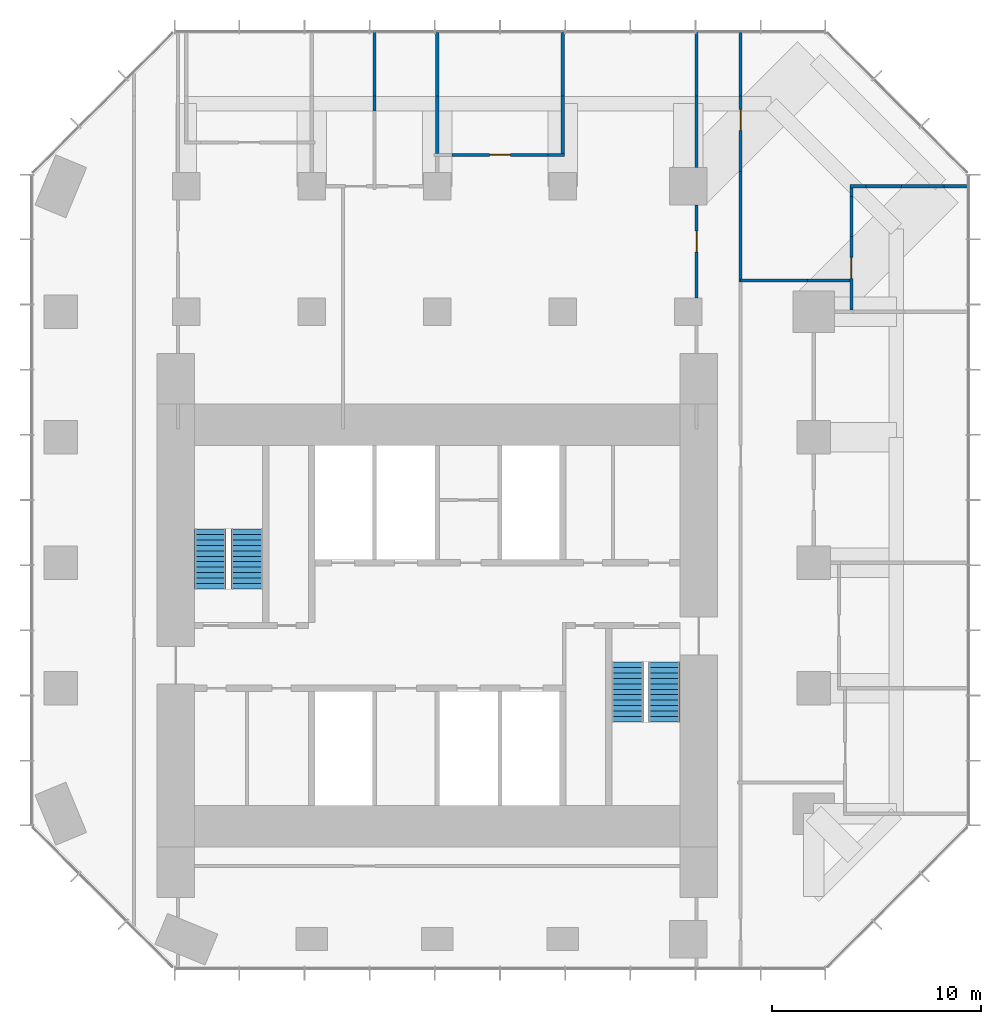
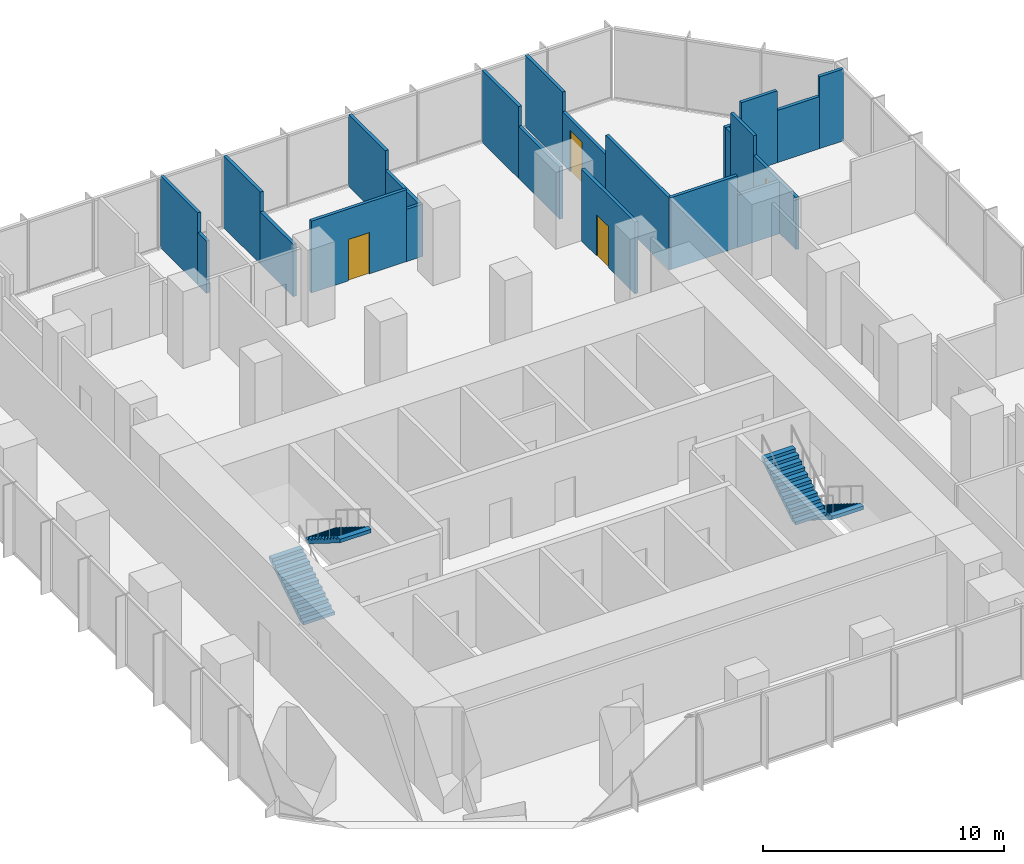
# One storey, part 10 of 11: 23 walls, 4 doors, 4 stair flights, 4 openings, 2 elements without a shape of their own.
"""IFC4 building model written with IfcOpenShell, lengths in metres."""

from ifc_helpers import new_model, si_unit, direction, frame, frame_2d, origin, place, context, subcontext, project, spatial, polyline, rectangle, outline, extrude, material, layer, layer_set, type_object, element, fill, aggregate, save


model = new_model("IFC4")

# Units and contexts
model_context = context("Model", 3, precision=1e-05, world=origin(), true_north=direction((0.0, 1.0)))
body_context = subcontext(model_context, "Body", "Model", "MODEL_VIEW")
ifc_project = project(units=[si_unit("LENGTHUNIT", "METRE"), si_unit("AREAUNIT", "SQUARE_METRE"), si_unit("VOLUMEUNIT", "CUBIC_METRE"), si_unit("PLANEANGLEUNIT", "RADIAN"), si_unit("MASSUNIT", "GRAM", prefix="KILO")], contexts=[model_context])

# Site, building, storey
site_placement = place(None, origin())
site = spatial("IfcSite", under=ifc_project, at=site_placement, CompositionType="ELEMENT")
building_placement = place(site_placement, origin())
building = spatial("IfcBuilding", under=site, at=building_placement, Name="Highveld Stack Headquarters", CompositionType="ELEMENT")
storey_placement = place(building_placement, frame((0.0, 0.0, 185.0)))
storey = spatial("IfcBuildingStorey", under=building, at=storey_placement, Name="L45", CompositionType="ELEMENT", Elevation=185.0)

# Walls
ifc_material_1 = material(Name="Gypsum plasterboard on steel studs", Category="steel")
ifc_layer = layer(ifc_material_1, 0.14990234375)
ifc_layer_set = layer_set([ifc_layer], Name="Gypsum plasterboard on steel studs")
wall_type = type_object("IfcWallType", Name="PARTITION 150 PLASTERBOARD", PredefinedType="PARTITIONING", material=ifc_layer_set)
wall_1_placement = place(storey_placement, frame((25.72509765625, 24.0, 0.0), z_axis=(0.0, 0.0, 1.0), x_axis=(1.0, 0.0, 0.0)))
element("IfcWall", 1, at=wall_1_placement, inside=storey, type_object=wall_type, Name="Partition Print room L45", PredefinedType="PARTITIONING", context=body_context, shape_type="SweptSolid", body=[
    extrude(rectangle(XDim=0.764892578125, YDim=0.14990234375, at=frame_2d((0.38232421875, 0.0))), origin(), (0.0, 0.0, 1.0), 2.64990234375),
])
wall_2_placement = place(storey_placement, frame((26.489990234375, 24.0, 0.0), z_axis=(0.0, 0.0, 1.0), x_axis=(1.0, 0.0, 0.0)))
element("IfcWall", 2, at=wall_2_placement, inside=storey, type_object=wall_type, Name="Partition Print room L45", PredefinedType="PARTITIONING", context=body_context, shape_type="SweptSolid", body=[
    extrude(rectangle(XDim=1.718017578125, YDim=0.14990234375, at=frame_2d((0.85888671875, 0.0))), origin(), (0.0, 0.0, 1.0), 3.64990234375),
])
wall_3_placement = place(storey_placement, frame((28.2080078125, 24.0, 0.0), z_axis=(0.0, 0.0, 1.0), x_axis=(1.0, 0.0, 0.0)))
element("IfcWall", 3, at=wall_3_placement, inside=storey, type_object=wall_type, Name="Partition Print room L45", PredefinedType="PARTITIONING", context=body_context, shape_type="SweptSolid", body=[
    extrude(rectangle(XDim=2.029052734375, YDim=0.14990234375, at=frame_2d((1.0146484375, 0.0))), origin(), (0.0, 0.0, 1.0), 2.64990234375),
])
wall_4_placement = place(storey_placement, frame((30.237060546875, 24.0, 0.0), z_axis=(0.0, 0.0, 1.0), x_axis=(1.0, 0.0, 0.0)))
element("IfcWall", 4, at=wall_4_placement, inside=storey, type_object=wall_type, Name="Partition Print room L45", PredefinedType="PARTITIONING", context=body_context, shape_type="SweptSolid", body=[
    extrude(rectangle(XDim=1.162841796875, YDim=0.14990234375, at=frame_2d((0.58154296875, 0.0))), origin(), (0.0, 0.0, 1.0), 3.64990234375),
])

# Wall, opening, door
wall_5_placement = place(storey_placement, frame((6.7099609375, 25.5, 0.0), z_axis=(0.0, 0.0, 1.0), x_axis=(1.0, 0.0, 0.0)))
wall_5 = element("IfcWall", 5, at=wall_5_placement, inside=storey, type_object=wall_type, Name="Partition Quiet room L45", PredefinedType="PARTITIONING", context=body_context, shape_type="SweptSolid", body=[
    extrude(rectangle(XDim=4.580078125, YDim=0.14990234375, at=frame_2d((2.2900390625, 0.0))), origin(), (0.0, 0.0, 1.0), 3.64990234375),
])
opening_1_placement = place(wall_5_placement, frame((1.7900390625, 0.0, 0.0)))
opening_1 = element("IfcOpeningElement", 6, at=opening_1_placement, cuts=wall_5, Name="Opening L45-21", PredefinedType="OPENING", context=body_context, shape_type="SweptSolid", body=[
    extrude(rectangle(XDim=1.0, YDim=2.10009765625, at=frame_2d((0.5, 1.050048828125))), frame((0.0, 0.0849609375, 0.0), z_axis=(0.0, -1.0, 0.0), x_axis=(1.0, 0.0, 0.0)), (0.0, 0.0, 1.0), 0.169921875),
])
ifc_material_2 = material(Name="Timber door, oiled ash", Category="wood")
door_type = type_object("IfcDoorType", Name="ROOM DOOR D6 1000x2100", OperationType="SINGLE_SWING_LEFT", PredefinedType="DOOR", material=ifc_material_2)
door_1_placement = place(opening_1_placement, origin())
door_1 = element("IfcDoor", 7, at=door_1_placement, inside=storey, type_object=door_type, Name="Quiet room door 1 L45", OperationType="SINGLE_SWING_LEFT", OverallHeight=2.10009765625, OverallWidth=1.0, PredefinedType="DOOR", context=body_context, shape_type="SweptSolid", body=[
    extrude(rectangle(XDim=1.0, YDim=2.10009765625, at=frame_2d((0.5, 1.050048828125))), frame((0.0, 0.02490234375, 0.0), z_axis=(0.0, -1.0, 0.0), x_axis=(1.0, 0.0, 0.0)), (0.0, 0.0, 1.0), 0.050048828125),
])
fill(opening_1, door_1)

# Walls
wall_6_placement = place(storey_placement, frame((11.2900390625, 25.5, 0.0), z_axis=(0.0, 0.0, 1.0), x_axis=(1.0, 0.0, 0.0)))
element("IfcWall", 8, at=wall_6_placement, inside=storey, type_object=wall_type, Name="Partition Quiet room L45", PredefinedType="PARTITIONING", context=body_context, shape_type="SweptSolid", body=[
    extrude(rectangle(XDim=0.784912109375, YDim=0.14990234375, at=frame_2d((0.392578125, 0.0))), origin(), (0.0, 0.0, 1.0), 2.64990234375),
])
wall_7_placement = place(storey_placement, frame((3.0, 27.590087890625, 0.0), z_axis=(0.0, 0.0, 1.0), x_axis=(0.0, 1.0, 0.0)))
element("IfcWall", 9, at=wall_7_placement, inside=storey, type_object=wall_type, Name="Partition Office L45", PredefinedType="PARTITIONING", context=body_context, shape_type="SweptSolid", body=[
    extrude(rectangle(XDim=0.719970703125, YDim=0.14990234375, at=frame_2d((0.35986328125, 0.0))), origin(), (0.0, 0.0, 1.0), 2.64990234375),
])
wall_8_placement = place(storey_placement, frame((3.0, 28.31005859375, 0.0), z_axis=(0.0, 0.0, 1.0), x_axis=(0.0, 1.0, 0.0)))
element("IfcWall", 10, at=wall_8_placement, inside=storey, type_object=wall_type, Name="Partition Office L45", PredefinedType="PARTITIONING", context=body_context, shape_type="SweptSolid", body=[
    extrude(rectangle(XDim=3.08984375, YDim=0.14990234375, at=frame_2d((1.544921875, 0.0))), origin(), (0.0, 0.0, 1.0), 3.64990234375),
])
wall_9_placement = place(storey_placement, frame((6.0, 25.574951171875, 0.0), z_axis=(0.0, 0.0, 1.0), x_axis=(0.0, 1.0, 0.0)))
element("IfcWall", 11, at=wall_9_placement, inside=storey, type_object=wall_type, Name="Partition Office / Quiet room L45", PredefinedType="PARTITIONING", context=body_context, shape_type="SweptSolid", body=[
    extrude(rectangle(XDim=2.735107421875, YDim=0.14990234375, at=frame_2d((1.36767578125, 0.0))), origin(), (0.0, 0.0, 1.0), 2.64990234375),
])
wall_10_placement = place(storey_placement, frame((6.0, 28.31005859375, 0.0), z_axis=(0.0, 0.0, 1.0), x_axis=(0.0, 1.0, 0.0)))
element("IfcWall", 12, at=wall_10_placement, inside=storey, type_object=wall_type, Name="Partition Office / Quiet room L45", PredefinedType="PARTITIONING", context=body_context, shape_type="SweptSolid", body=[
    extrude(rectangle(XDim=3.0400390625, YDim=0.14990234375, at=frame_2d((1.52001953125, 0.0))), origin(), (0.0, 0.0, 1.0), 3.64990234375),
])
wall_11_placement = place(storey_placement, frame((12.0, 25.574951171875, 0.0), z_axis=(0.0, 0.0, 1.0), x_axis=(0.0, 1.0, 0.0)))
element("IfcWall", 13, at=wall_11_placement, inside=storey, type_object=wall_type, Name="Partition Quiet room L45", PredefinedType="PARTITIONING", context=body_context, shape_type="SweptSolid", body=[
    extrude(rectangle(XDim=2.735107421875, YDim=0.14990234375, at=frame_2d((1.36767578125, 0.0))), origin(), (0.0, 0.0, 1.0), 2.64990234375),
])
wall_12_placement = place(storey_placement, frame((12.0, 28.31005859375, 0.0), z_axis=(0.0, 0.0, 1.0), x_axis=(0.0, 1.0, 0.0)))
element("IfcWall", 14, at=wall_12_placement, inside=storey, type_object=wall_type, Name="Partition Quiet room L45", PredefinedType="PARTITIONING", context=body_context, shape_type="SweptSolid", body=[
    extrude(rectangle(XDim=3.0400390625, YDim=0.14990234375, at=frame_2d((1.52001953125, 0.0))), origin(), (0.0, 0.0, 1.0), 3.64990234375),
])

# Wall, opening, door
wall_13_placement = place(storey_placement, frame((25.800048828125, 18.074951171875, 0.0), z_axis=(0.0, 0.0, 1.0), x_axis=(0.0, 1.0, 0.0)))
wall_13 = element("IfcWall", 15, at=wall_13_placement, inside=storey, type_object=wall_type, Name="Partition Print room L45", PredefinedType="PARTITIONING", context=body_context, shape_type="SweptSolid", body=[
    extrude(rectangle(XDim=3.51708984375, YDim=0.14990234375, at=frame_2d((1.758544921875, 0.0))), origin(), (0.0, 0.0, 1.0), 2.64990234375),
])
opening_2_placement = place(wall_13_placement, frame((1.52490234375, 0.0, 0.0)))
opening_2 = element("IfcOpeningElement", 16, at=opening_2_placement, cuts=wall_13, Name="Opening L45-17", PredefinedType="OPENING", context=body_context, shape_type="SweptSolid", body=[
    extrude(rectangle(XDim=1.0, YDim=2.10009765625, at=frame_2d((0.5, 1.050048828125))), frame((0.0, 0.0849609375, 0.0), z_axis=(0.0, -1.0, 0.0), x_axis=(1.0, 0.0, 0.0)), (0.0, 0.0, 1.0), 0.169921875),
])
door_2_placement = place(opening_2_placement, origin())
door_2 = element("IfcDoor", 17, at=door_2_placement, inside=storey, type_object=door_type, Name="Print room door 1 L45", OperationType="SINGLE_SWING_RIGHT", OverallHeight=2.10009765625, OverallWidth=1.0, PredefinedType="DOOR", context=body_context, shape_type="SweptSolid", body=[
    extrude(rectangle(XDim=1.0, YDim=2.10009765625, at=frame_2d((0.5, 1.050048828125))), frame((0.0, 0.02490234375, 0.0), z_axis=(0.0, -1.0, 0.0), x_axis=(1.0, 0.0, 0.0)), (0.0, 0.0, 1.0), 0.050048828125),
])
fill(opening_2, door_2)

# Walls
wall_14_placement = place(storey_placement, frame((25.800048828125, 21.592041015625, 0.0), z_axis=(0.0, 0.0, 1.0), x_axis=(0.0, 1.0, 0.0)))
element("IfcWall", 18, at=wall_14_placement, inside=storey, type_object=wall_type, Name="Partition Print room L45", PredefinedType="PARTITIONING", context=body_context, shape_type="SweptSolid", body=[
    extrude(rectangle(XDim=1.91796875, YDim=0.14990234375, at=frame_2d((0.958984375, 0.0))), origin(), (0.0, 0.0, 1.0), 3.64990234375),
])
wall_15_placement = place(storey_placement, frame((25.800048828125, 23.510009765625, 0.0), z_axis=(0.0, 0.0, 1.0), x_axis=(0.0, 1.0, 0.0)))
element("IfcWall", 19, at=wall_15_placement, inside=storey, type_object=wall_type, Name="Partition Print room L45", PredefinedType="PARTITIONING", context=body_context, shape_type="SweptSolid", body=[
    extrude(rectangle(XDim=0.4150390625, YDim=0.14990234375, at=frame_2d((0.20751953125, 0.0))), origin(), (0.0, 0.0, 1.0), 2.64990234375),
])

# Wall, opening, door
wall_16_placement = place(storey_placement, frame((18.39990234375, 18.64990234375, 0.0), z_axis=(0.0, 0.0, 1.0), x_axis=(0.0, 1.0, 0.0)))
wall_16 = element("IfcWall", 20, at=wall_16_placement, inside=storey, type_object=wall_type, Name="Partition office neighbourhood L45", PredefinedType="PARTITIONING", context=body_context, shape_type="SweptSolid", body=[
    extrude(rectangle(XDim=4.4501953125, YDim=0.14990234375, at=frame_2d((2.22509765625, 0.0))), origin(), (0.0, 0.0, 1.0), 3.64990234375),
])
opening_3_placement = place(wall_16_placement, frame((2.205078125, 0.0, 0.0)))
opening_3 = element("IfcOpeningElement", 21, at=opening_3_placement, cuts=wall_16, Name="Opening L45-26", PredefinedType="OPENING", context=body_context, shape_type="SweptSolid", body=[
    extrude(rectangle(XDim=1.0, YDim=2.10009765625, at=frame_2d((0.5, 1.050048828125))), frame((0.0, 0.0849609375, 0.0), z_axis=(0.0, -1.0, 0.0), x_axis=(1.0, 0.0, 0.0)), (0.0, 0.0, 1.0), 0.169921875),
])
door_3_placement = place(opening_3_placement, origin())
door_3 = element("IfcDoor", 22, at=door_3_placement, inside=storey, type_object=door_type, Name="Office neighbourhood door L45", OperationType="SINGLE_SWING_RIGHT", OverallHeight=2.10009765625, OverallWidth=1.0, PredefinedType="DOOR", context=body_context, shape_type="SweptSolid", body=[
    extrude(rectangle(XDim=1.0, YDim=2.10009765625, at=frame_2d((0.5, 1.050048828125))), frame((0.0, 0.02490234375, 0.0), z_axis=(0.0, -1.0, 0.0), x_axis=(1.0, 0.0, 0.0)), (0.0, 0.0, 1.0), 0.050048828125),
])
fill(opening_3, door_3)

# Walls
wall_17_placement = place(storey_placement, frame((18.39990234375, 24.89990234375, 0.0), z_axis=(0.0, 0.0, 1.0), x_axis=(0.0, 1.0, 0.0)))
element("IfcWall", 23, at=wall_17_placement, inside=storey, type_object=wall_type, Name="Partition office neighbourhood L45", PredefinedType="PARTITIONING", context=body_context, shape_type="SweptSolid", body=[
    extrude(rectangle(XDim=3.41015625, YDim=0.14990234375, at=frame_2d((1.705078125, 0.0))), origin(), (0.0, 0.0, 1.0), 2.64990234375),
])
wall_18_placement = place(storey_placement, frame((18.39990234375, 28.31005859375, 0.0), z_axis=(0.0, 0.0, 1.0), x_axis=(0.0, 1.0, 0.0)))
element("IfcWall", 24, at=wall_18_placement, inside=storey, type_object=wall_type, Name="Partition office neighbourhood L45", PredefinedType="PARTITIONING", context=body_context, shape_type="SweptSolid", body=[
    extrude(rectangle(XDim=3.0400390625, YDim=0.14990234375, at=frame_2d((1.52001953125, 0.0))), origin(), (0.0, 0.0, 1.0), 3.64990234375),
])
wall_19_placement = place(storey_placement, frame((20.5, 19.425048828125, 0.0), z_axis=(0.0, 0.0, 1.0), x_axis=(0.0, 1.0, 0.0)))
element("IfcWall", 25, at=wall_19_placement, inside=storey, type_object=wall_type, Name="Partition office neighbourhood L45", PredefinedType="PARTITIONING", context=body_context, shape_type="SweptSolid", body=[
    extrude(rectangle(XDim=5.282958984375, YDim=0.14990234375, at=frame_2d((2.6416015625, 0.0))), origin(), (0.0, 0.0, 1.0), 3.64990234375),
])

# Wall, opening, door
wall_20_placement = place(storey_placement, frame((20.5, 24.7080078125, 0.0), z_axis=(0.0, 0.0, 1.0), x_axis=(0.0, 1.0, 0.0)))
wall_20 = element("IfcWall", 26, at=wall_20_placement, inside=storey, type_object=wall_type, Name="Partition office neighbourhood L45", PredefinedType="PARTITIONING", context=body_context, shape_type="SweptSolid", body=[
    extrude(rectangle(XDim=3.60205078125, YDim=0.14990234375, at=frame_2d((1.801025390625, 0.0))), origin(), (0.0, 0.0, 1.0), 2.64990234375),
])
opening_4_placement = place(wall_20_placement, frame((1.962158203125, 0.0, 0.0)))
opening_4 = element("IfcOpeningElement", 27, at=opening_4_placement, cuts=wall_20, Name="Opening L45-27", PredefinedType="OPENING", context=body_context, shape_type="SweptSolid", body=[
    extrude(rectangle(XDim=1.0, YDim=2.10009765625, at=frame_2d((0.5, 1.050048828125))), frame((0.0, 0.0849609375, 0.0), z_axis=(0.0, -1.0, 0.0), x_axis=(1.0, 0.0, 0.0)), (0.0, 0.0, 1.0), 0.169921875),
])
door_4_placement = place(opening_4_placement, origin())
door_4 = element("IfcDoor", 28, at=door_4_placement, inside=storey, type_object=door_type, Name="Office neighbourhood door L45", OperationType="SINGLE_SWING_RIGHT", OverallHeight=2.10009765625, OverallWidth=1.0, PredefinedType="DOOR", context=body_context, shape_type="SweptSolid", body=[
    extrude(rectangle(XDim=1.0, YDim=2.10009765625, at=frame_2d((0.5, 1.050048828125))), frame((0.0, 0.02490234375, 0.0), z_axis=(0.0, -1.0, 0.0), x_axis=(1.0, 0.0, 0.0)), (0.0, 0.0, 1.0), 0.050048828125),
])
fill(opening_4, door_4)

# Walls
wall_21_placement = place(storey_placement, frame((20.5, 28.31005859375, 0.0), z_axis=(0.0, 0.0, 1.0), x_axis=(0.0, 1.0, 0.0)))
element("IfcWall", 29, at=wall_21_placement, inside=storey, type_object=wall_type, Name="Partition office neighbourhood L45", PredefinedType="PARTITIONING", context=body_context, shape_type="SweptSolid", body=[
    extrude(rectangle(XDim=3.08984375, YDim=0.14990234375, at=frame_2d((1.544921875, 0.0))), origin(), (0.0, 0.0, 1.0), 3.64990234375),
])
wall_22_placement = place(storey_placement, frame((20.5, 19.5, 0.0), z_axis=(0.0, 0.0, 1.0), x_axis=(1.0, 0.0, 0.0)))
element("IfcWall", 30, at=wall_22_placement, inside=storey, type_object=wall_type, Name="Partition office neighbourhood L45", PredefinedType="PARTITIONING", context=body_context, shape_type="SweptSolid", body=[
    extrude(rectangle(XDim=3.2080078125, YDim=0.14990234375, at=frame_2d((1.60400390625, 0.0))), origin(), (0.0, 0.0, 1.0), 3.64990234375),
])
wall_23_placement = place(storey_placement, frame((23.7080078125, 19.5, 0.0), z_axis=(0.0, 0.0, 1.0), x_axis=(1.0, 0.0, 0.0)))
element("IfcWall", 31, at=wall_23_placement, inside=storey, type_object=wall_type, Name="Partition office neighbourhood L45", PredefinedType="PARTITIONING", context=body_context, shape_type="SweptSolid", body=[
    extrude(rectangle(XDim=2.01708984375, YDim=0.14990234375, at=frame_2d((1.008544921875, 0.0))), origin(), (0.0, 0.0, 1.0), 2.64990234375),
])

# Stair, stair flights
ifc_material_3 = material(Name="Concrete C40/50, precast", Category="concrete")
stair_type_1 = type_object("IfcStairType", Name="STAIR S1 HALF TURN 1500", PredefinedType="HALF_TURN_STAIR", material=ifc_material_3)
stair_1_placement = place(storey_placement, origin())
stair_1 = element("IfcStair", 32, at=stair_1_placement, inside=storey, type_object=stair_type_1, Name="Stair S1 L45", PredefinedType="HALF_TURN_STAIR")
ifc_material_4 = material(Name="Concrete C40/50, precast", Category="concrete")
stair_flight_type = type_object("IfcStairFlightType", Name="STAIR FLIGHT 1500 PRECAST", PredefinedType="STRAIGHT", material=ifc_material_4)
stair_flight_1_placement = place(storey_placement, frame((-4.85009765625, 4.75, 0.0), z_axis=(0.0, 0.0, 1.0), x_axis=(0.0, 1.0, 0.0)))
stair_flight_1 = element("IfcStairFlight", 33, at=stair_flight_1_placement, type_object=stair_flight_type, Name="S1 flight 1", NumberOfRisers=12, NumberOfTreads=11, PredefinedType="STRAIGHT", RiserHeight=0.1625, TreadLength=0.26, context=body_context, shape_type="SweptSolid", body=[
    extrude(outline(polyline([(0.0, 0.0), (0.0, 0.16259765625), (0.260009765625, 0.16259765625), (0.260009765625, 0.324951171875), (0.52001953125, 0.324951171875), (0.52001953125, 0.487548828125), (0.780029296875, 0.487548828125), (0.780029296875, 0.64990234375), (1.0400390625, 0.64990234375), (1.0400390625, 0.8125), (1.300048828125, 0.8125), (1.300048828125, 0.97509765625), (1.56005859375, 0.97509765625), (1.56005859375, 1.137451171875), (1.820068359375, 1.137451171875), (1.820068359375, 1.300048828125), (2.080078125, 1.300048828125), (2.080078125, 1.46240234375), (2.340087890625, 1.46240234375), (2.340087890625, 1.625), (2.60009765625, 1.625), (2.60009765625, 1.78759765625), (2.860107421875, 1.78759765625), (2.860107421875, 1.949951171875), (2.860107421875, 1.61083984375), (0.28271484375, 0.0), (0.0, 0.0)])), frame((0.0, 0.75, 0.0), z_axis=(0.0, -1.0, 0.0), x_axis=(1.0, 0.0, 0.0)), (0.0, 0.0, 1.0), 1.5),
])
stair_flight_2_placement = place(storey_placement, frame((-3.10009765625, 7.610107421875, 1.949951171875), z_axis=(0.0, 0.0, 1.0), x_axis=(0.0, -1.0, 0.0)))
stair_flight_2 = element("IfcStairFlight", 34, at=stair_flight_2_placement, type_object=stair_flight_type, Name="S1 flight 2", NumberOfRisers=12, NumberOfTreads=11, PredefinedType="STRAIGHT", RiserHeight=0.1625, TreadLength=0.26, context=body_context, shape_type="SweptSolid", body=[
    extrude(outline(polyline([(0.0, 0.0), (0.0, 0.16259765625), (0.260009765625, 0.16259765625), (0.260009765625, 0.324951171875), (0.52001953125, 0.324951171875), (0.52001953125, 0.487548828125), (0.780029296875, 0.487548828125), (0.780029296875, 0.64990234375), (1.0400390625, 0.64990234375), (1.0400390625, 0.8125), (1.300048828125, 0.8125), (1.300048828125, 0.97509765625), (1.56005859375, 0.97509765625), (1.56005859375, 1.137451171875), (1.820068359375, 1.137451171875), (1.820068359375, 1.300048828125), (2.080078125, 1.300048828125), (2.080078125, 1.46240234375), (2.340087890625, 1.46240234375), (2.340087890625, 1.625), (2.60009765625, 1.625), (2.60009765625, 1.78759765625), (2.860107421875, 1.78759765625), (2.860107421875, 1.949951171875), (2.860107421875, 1.61083984375), (0.28271484375, 0.0), (0.0, 0.0)])), frame((0.0, 0.75, 0.0), z_axis=(0.0, -1.0, 0.0), x_axis=(1.0, 0.0, 0.0)), (0.0, 0.0, 1.0), 1.5),
])
aggregate(stair_1, [stair_flight_1, stair_flight_2])

ifc_material_5 = material(Name="Concrete C40/50, precast", Category="concrete")
stair_type_2 = type_object("IfcStairType", Name="STAIR S2 HALF TURN 1500", PredefinedType="HALF_TURN_STAIR", material=ifc_material_5)
stair_2_placement = place(storey_placement, origin())
stair_2 = element("IfcStair", 35, at=stair_2_placement, inside=storey, type_object=stair_type_2, Name="Stair S2 L45", PredefinedType="HALF_TURN_STAIR")
stair_flight_3_placement = place(storey_placement, frame((16.85009765625, 1.25, 0.0), z_axis=(0.0, 0.0, 1.0), x_axis=(0.0, -1.0, 0.0)))
stair_flight_3 = element("IfcStairFlight", 36, at=stair_flight_3_placement, type_object=stair_flight_type, Name="S2 flight 1", NumberOfRisers=12, NumberOfTreads=11, PredefinedType="STRAIGHT", RiserHeight=0.1625, TreadLength=0.26, context=body_context, shape_type="SweptSolid", body=[
    extrude(outline(polyline([(0.0, 0.0), (0.0, 0.16259765625), (0.260009765625, 0.16259765625), (0.260009765625, 0.324951171875), (0.52001953125, 0.324951171875), (0.52001953125, 0.487548828125), (0.780029296875, 0.487548828125), (0.780029296875, 0.64990234375), (1.0400390625, 0.64990234375), (1.0400390625, 0.8125), (1.300048828125, 0.8125), (1.300048828125, 0.97509765625), (1.56005859375, 0.97509765625), (1.56005859375, 1.137451171875), (1.820068359375, 1.137451171875), (1.820068359375, 1.300048828125), (2.080078125, 1.300048828125), (2.080078125, 1.46240234375), (2.340087890625, 1.46240234375), (2.340087890625, 1.625), (2.60009765625, 1.625), (2.60009765625, 1.78759765625), (2.860107421875, 1.78759765625), (2.860107421875, 1.949951171875), (2.860107421875, 1.61083984375), (0.28271484375, 0.0), (0.0, 0.0)])), frame((0.0, 0.75, 0.0), z_axis=(0.0, -1.0, 0.0), x_axis=(1.0, 0.0, 0.0)), (0.0, 0.0, 1.0), 1.5),
])
stair_flight_4_placement = place(storey_placement, frame((15.10009765625, -1.610107421875, 1.949951171875), z_axis=(0.0, 0.0, 1.0), x_axis=(0.0, 1.0, 0.0)))
stair_flight_4 = element("IfcStairFlight", 37, at=stair_flight_4_placement, type_object=stair_flight_type, Name="S2 flight 2", NumberOfRisers=12, NumberOfTreads=11, PredefinedType="STRAIGHT", RiserHeight=0.1625, TreadLength=0.26, context=body_context, shape_type="SweptSolid", body=[
    extrude(outline(polyline([(0.0, 0.0), (0.0, 0.16259765625), (0.260009765625, 0.16259765625), (0.260009765625, 0.324951171875), (0.52001953125, 0.324951171875), (0.52001953125, 0.487548828125), (0.780029296875, 0.487548828125), (0.780029296875, 0.64990234375), (1.0400390625, 0.64990234375), (1.0400390625, 0.8125), (1.300048828125, 0.8125), (1.300048828125, 0.97509765625), (1.56005859375, 0.97509765625), (1.56005859375, 1.137451171875), (1.820068359375, 1.137451171875), (1.820068359375, 1.300048828125), (2.080078125, 1.300048828125), (2.080078125, 1.46240234375), (2.340087890625, 1.46240234375), (2.340087890625, 1.625), (2.60009765625, 1.625), (2.60009765625, 1.78759765625), (2.860107421875, 1.78759765625), (2.860107421875, 1.949951171875), (2.860107421875, 1.61083984375), (0.28271484375, 0.0), (0.0, 0.0)])), frame((0.0, 0.75, 0.0), z_axis=(0.0, -1.0, 0.0), x_axis=(1.0, 0.0, 0.0)), (0.0, 0.0, 1.0), 1.5),
])
aggregate(stair_2, [stair_flight_3, stair_flight_4])

save(model, "model.ifc")
